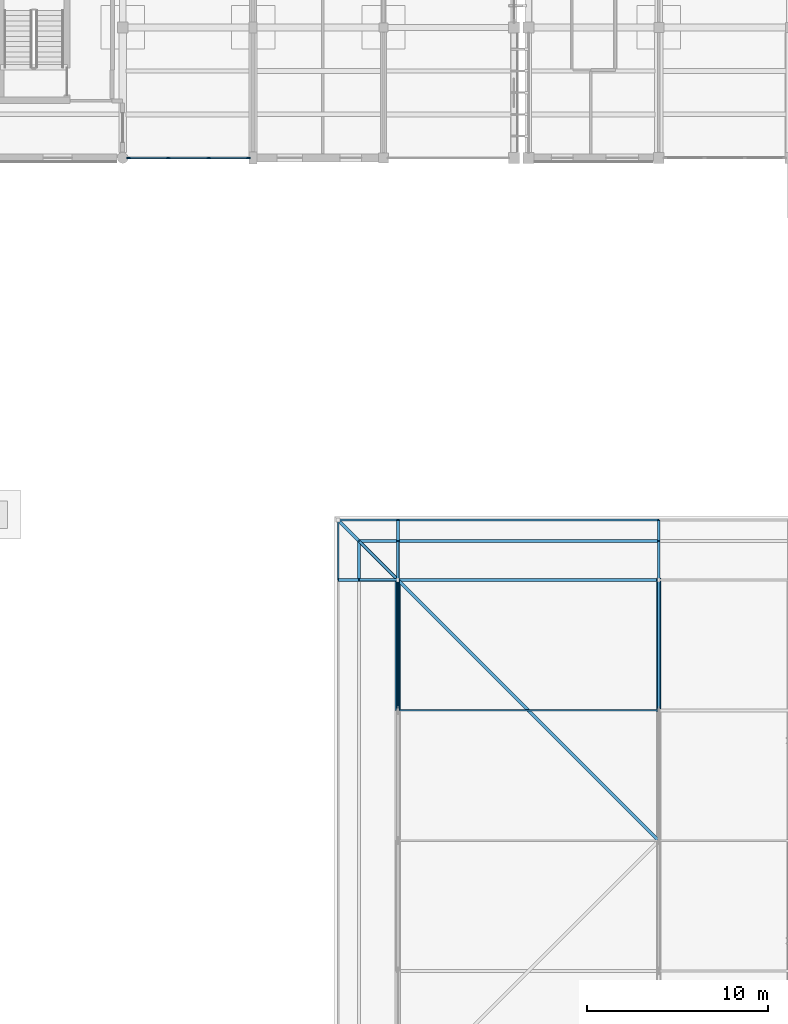
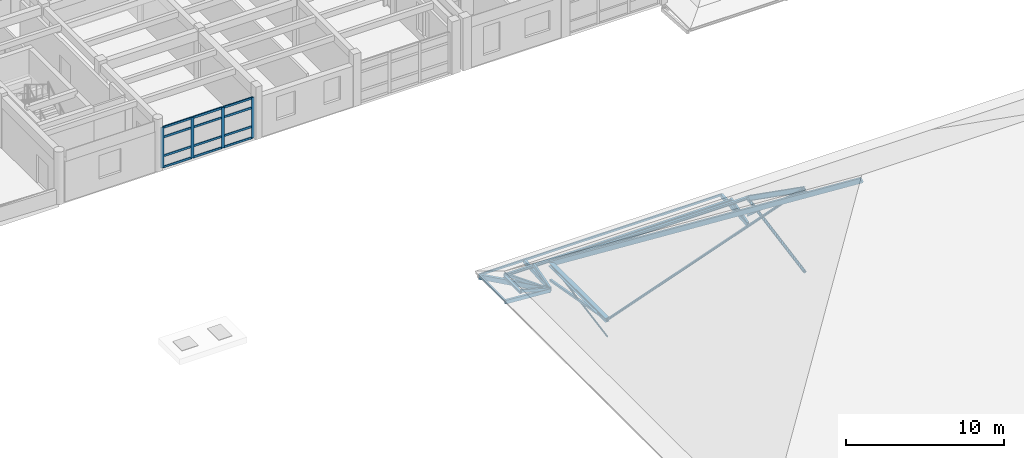
# One storey, part 5 of 100: 39 members, 1 element without a shape of its own.
"""IFC4 building model written with IfcOpenShell, lengths in metres."""

from ifc_helpers import new_model, si_unit, direction, frame, origin, origin_2d, place, context, subcontext, project, spatial, rectangle, hollow_rectangle, hollow_circle, i_section, extrude, material, material_profile, profile_set, type_object, element, aggregate, save


model = new_model("IFC4")

# Units and contexts
model_context = context("Model", 3, precision=1e-05, world=origin(), true_north=direction((0.0, 1.0)))
body_context = subcontext(model_context, "Body", "Model", "MODEL_VIEW")
ifc_project = project(units=[si_unit("LENGTHUNIT", "METRE"), si_unit("AREAUNIT", "SQUARE_METRE"), si_unit("VOLUMEUNIT", "CUBIC_METRE"), si_unit("PLANEANGLEUNIT", "RADIAN"), si_unit("MASSUNIT", "GRAM", prefix="KILO")], contexts=[model_context])

# Site, building, storey
site_placement = place(None, origin())
site = spatial("IfcSite", under=ifc_project, at=site_placement, CompositionType="ELEMENT")
building_placement = place(site_placement, origin())
building = spatial("IfcBuilding", under=site, at=building_placement, Name="Steenspoor Specialist Clinic", CompositionType="ELEMENT")
storey_placement = place(building_placement, frame((0.0, 0.0, 9.0)))
storey = spatial("IfcBuildingStorey", under=building, at=storey_placement, Name="L02", CompositionType="ELEMENT", Elevation=9.0)

# Curtain wall, members
ifc_material_1 = material(Name="Thermally broken aluminium and low-emissivity glass", Category="aluminium")
curtain_wall_type = type_object("IfcCurtainWallType", Name="CW-L00-480X415", PredefinedType="USERDEFINED", material=ifc_material_1)
curtain_wall_placement = place(storey_placement, origin())
curtain_wall = element("IfcCurtainWall", 1, at=curtain_wall_placement, inside=storey, type_object=curtain_wall_type, Name="Unitised Curtain Wall CW-V5-L02-150", ObjectType="UNITISED GLAZING", PredefinedType="USERDEFINED")
ifc_material_2 = material(Name="Thermally broken aluminium 6063-T6", Category="aluminium")
ifc_material_profile_1 = material_profile(ifc_material_2, rectangle(XDim=0.080078125, YDim=0.219970703125, at=origin_2d()), Name="CWM-80X220")
ifc_profile_set_1 = profile_set([ifc_material_profile_1], Name="Thermally broken aluminium 6063-T6")
member_type_1 = type_object("IfcMemberType", Name="CW-MULL-80X220", PredefinedType="MULLION", material=ifc_profile_set_1)
member_1_placement = place(storey_placement, frame((36.93505859375, 65.14990234375, 0.0), z_axis=(0.0, 0.0, 1.0), x_axis=(0.0, -1.0, 0.0)))
member_1 = element("IfcMember", 2, at=member_1_placement, type_object=member_type_1, Name="CW-06 mullion 1", PredefinedType="MULLION", context=body_context, shape_type="SweptSolid", body=[
    extrude(rectangle(XDim=0.080078125, YDim=0.219970703125, at=origin_2d()), origin(), (0.0, 0.0, 1.0), 3.1298828125),
])
member_2_placement = place(storey_placement, frame((34.75, 65.14990234375, 0.0), z_axis=(0.0, 0.0, 1.0), x_axis=(0.0, -1.0, 0.0)))
member_2 = element("IfcMember", 3, at=member_2_placement, type_object=member_type_1, Name="CW-06 mullion 2", PredefinedType="MULLION", context=body_context, shape_type="SweptSolid", body=[
    extrude(rectangle(XDim=0.080078125, YDim=0.219970703125, at=origin_2d()), origin(), (0.0, 0.0, 1.0), 3.1298828125),
])
member_3_placement = place(storey_placement, frame((32.52490234375, 65.14990234375, 0.0), z_axis=(0.0, 0.0, 1.0), x_axis=(0.0, -1.0, 0.0)))
member_3 = element("IfcMember", 4, at=member_3_placement, type_object=member_type_1, Name="CW-06 mullion 3", PredefinedType="MULLION", context=body_context, shape_type="SweptSolid", body=[
    extrude(rectangle(XDim=0.080078125, YDim=0.219970703125, at=origin_2d()), origin(), (0.0, 0.0, 1.0), 3.1298828125),
])
member_4_placement = place(storey_placement, frame((30.340087890625, 65.14990234375, 0.0), z_axis=(0.0, 0.0, 1.0), x_axis=(0.0, -1.0, 0.0)))
member_4 = element("IfcMember", 5, at=member_4_placement, type_object=member_type_1, Name="CW-06 mullion 4", PredefinedType="MULLION", context=body_context, shape_type="SweptSolid", body=[
    extrude(rectangle(XDim=0.080078125, YDim=0.219970703125, at=origin_2d()), origin(), (0.0, 0.0, 1.0), 3.1298828125),
])
ifc_material_profile_2 = material_profile(ifc_material_2, rectangle(XDim=0.080078125, YDim=0.159912109375, at=origin_2d()), Name="CWT-80X160")
ifc_profile_set_2 = profile_set([ifc_material_profile_2], Name="Thermally broken aluminium 6063-T6")
member_type_2 = type_object("IfcMemberType", Name="CW-TRAN-80X160", PredefinedType="USERDEFINED", material=ifc_profile_set_2)
member_5_placement = place(storey_placement, frame((36.89501953125, 65.14990234375, 0.0400390625), z_axis=(-1.0, 0.0, 0.0), x_axis=(0.0, -1.0, 0.0)))
member_5 = element("IfcMember", 6, at=member_5_placement, type_object=member_type_2, Name="CW-06 transom 1.1", ObjectType="TRANSOM", PredefinedType="USERDEFINED", context=body_context, shape_type="SweptSolid", body=[
    extrude(rectangle(XDim=0.080078125, YDim=0.159912109375, at=origin_2d()), origin(), (0.0, 0.0, 1.0), 2.10498046875),
])
member_6_placement = place(storey_placement, frame((36.89501953125, 65.14990234375, 0.89990234375), z_axis=(-1.0, 0.0, 0.0), x_axis=(0.0, -1.0, 0.0)))
member_6 = element("IfcMember", 7, at=member_6_placement, type_object=member_type_2, Name="CW-06 transom 1.2", ObjectType="TRANSOM", PredefinedType="USERDEFINED", context=body_context, shape_type="SweptSolid", body=[
    extrude(rectangle(XDim=0.080078125, YDim=0.159912109375, at=origin_2d()), origin(), (0.0, 0.0, 1.0), 2.10498046875),
])
member_7_placement = place(storey_placement, frame((36.89501953125, 65.14990234375, 2.35009765625), z_axis=(-1.0, 0.0, 0.0), x_axis=(0.0, -1.0, 0.0)))
member_7 = element("IfcMember", 8, at=member_7_placement, type_object=member_type_2, Name="CW-06 transom 1.3", ObjectType="TRANSOM", PredefinedType="USERDEFINED", context=body_context, shape_type="SweptSolid", body=[
    extrude(rectangle(XDim=0.080078125, YDim=0.159912109375, at=origin_2d()), origin(), (0.0, 0.0, 1.0), 2.10498046875),
])
member_8_placement = place(storey_placement, frame((36.89501953125, 65.14990234375, 3.090087890625), z_axis=(-1.0, 0.0, 0.0), x_axis=(0.0, -1.0, 0.0)))
member_8 = element("IfcMember", 9, at=member_8_placement, type_object=member_type_2, Name="CW-06 transom 1.4", ObjectType="TRANSOM", PredefinedType="USERDEFINED", context=body_context, shape_type="SweptSolid", body=[
    extrude(rectangle(XDim=0.080078125, YDim=0.159912109375, at=origin_2d()), origin(), (0.0, 0.0, 1.0), 2.10498046875),
])
member_9_placement = place(storey_placement, frame((34.7099609375, 65.14990234375, 0.0400390625), z_axis=(-1.0, 0.0, 0.0), x_axis=(0.0, -1.0, 0.0)))
member_9 = element("IfcMember", 10, at=member_9_placement, type_object=member_type_2, Name="CW-06 transom 2.1", ObjectType="TRANSOM", PredefinedType="USERDEFINED", context=body_context, shape_type="SweptSolid", body=[
    extrude(rectangle(XDim=0.080078125, YDim=0.159912109375, at=origin_2d()), origin(), (0.0, 0.0, 1.0), 2.14501953125),
])
member_10_placement = place(storey_placement, frame((34.7099609375, 65.14990234375, 0.89990234375), z_axis=(-1.0, 0.0, 0.0), x_axis=(0.0, -1.0, 0.0)))
member_10 = element("IfcMember", 11, at=member_10_placement, type_object=member_type_2, Name="CW-06 transom 2.2", ObjectType="TRANSOM", PredefinedType="USERDEFINED", context=body_context, shape_type="SweptSolid", body=[
    extrude(rectangle(XDim=0.080078125, YDim=0.159912109375, at=origin_2d()), origin(), (0.0, 0.0, 1.0), 2.14501953125),
])
member_11_placement = place(storey_placement, frame((34.7099609375, 65.14990234375, 2.35009765625), z_axis=(-1.0, 0.0, 0.0), x_axis=(0.0, -1.0, 0.0)))
member_11 = element("IfcMember", 12, at=member_11_placement, type_object=member_type_2, Name="CW-06 transom 2.3", ObjectType="TRANSOM", PredefinedType="USERDEFINED", context=body_context, shape_type="SweptSolid", body=[
    extrude(rectangle(XDim=0.080078125, YDim=0.159912109375, at=origin_2d()), origin(), (0.0, 0.0, 1.0), 2.14501953125),
])
member_12_placement = place(storey_placement, frame((34.7099609375, 65.14990234375, 3.090087890625), z_axis=(-1.0, 0.0, 0.0), x_axis=(0.0, -1.0, 0.0)))
member_12 = element("IfcMember", 13, at=member_12_placement, type_object=member_type_2, Name="CW-06 transom 2.4", ObjectType="TRANSOM", PredefinedType="USERDEFINED", context=body_context, shape_type="SweptSolid", body=[
    extrude(rectangle(XDim=0.080078125, YDim=0.159912109375, at=origin_2d()), origin(), (0.0, 0.0, 1.0), 2.14501953125),
])
member_13_placement = place(storey_placement, frame((32.485107421875, 65.14990234375, 0.0400390625), z_axis=(-1.0, 0.0, 0.0), x_axis=(0.0, -1.0, 0.0)))
member_13 = element("IfcMember", 14, at=member_13_placement, type_object=member_type_2, Name="CW-06 transom 3.1", ObjectType="TRANSOM", PredefinedType="USERDEFINED", context=body_context, shape_type="SweptSolid", body=[
    extrude(rectangle(XDim=0.080078125, YDim=0.159912109375, at=origin_2d()), origin(), (0.0, 0.0, 1.0), 2.105224609375),
])
member_14_placement = place(storey_placement, frame((32.485107421875, 65.14990234375, 0.89990234375), z_axis=(-1.0, 0.0, 0.0), x_axis=(0.0, -1.0, 0.0)))
member_14 = element("IfcMember", 15, at=member_14_placement, type_object=member_type_2, Name="CW-06 transom 3.2", ObjectType="TRANSOM", PredefinedType="USERDEFINED", context=body_context, shape_type="SweptSolid", body=[
    extrude(rectangle(XDim=0.080078125, YDim=0.159912109375, at=origin_2d()), origin(), (0.0, 0.0, 1.0), 2.105224609375),
])
member_15_placement = place(storey_placement, frame((32.485107421875, 65.14990234375, 2.35009765625), z_axis=(-1.0, 0.0, 0.0), x_axis=(0.0, -1.0, 0.0)))
member_15 = element("IfcMember", 16, at=member_15_placement, type_object=member_type_2, Name="CW-06 transom 3.3", ObjectType="TRANSOM", PredefinedType="USERDEFINED", context=body_context, shape_type="SweptSolid", body=[
    extrude(rectangle(XDim=0.080078125, YDim=0.159912109375, at=origin_2d()), origin(), (0.0, 0.0, 1.0), 2.105224609375),
])
member_16_placement = place(storey_placement, frame((32.485107421875, 65.14990234375, 3.090087890625), z_axis=(-1.0, 0.0, 0.0), x_axis=(0.0, -1.0, 0.0)))
member_16 = element("IfcMember", 17, at=member_16_placement, type_object=member_type_2, Name="CW-06 transom 3.4", ObjectType="TRANSOM", PredefinedType="USERDEFINED", context=body_context, shape_type="SweptSolid", body=[
    extrude(rectangle(XDim=0.080078125, YDim=0.159912109375, at=origin_2d()), origin(), (0.0, 0.0, 1.0), 2.105224609375),
])
aggregate(curtain_wall, [member_1, member_2, member_3, member_4, member_5, member_6, member_7, member_8, member_9, member_10, member_11, member_12, member_13, member_14, member_15, member_16])

# Members
ifc_material_3 = material(Name="Steel A500 Grade C", Category="steel")
ifc_material_profile_3 = material_profile(ifc_material_3, hollow_rectangle(XDim=0.126953125, YDim=0.126953125, WallThickness=0.0087890625, at=origin_2d()), Name="HSS127X127X9.5")
ifc_profile_set_3 = profile_set([ifc_material_profile_3], Name="Steel A500 Grade C")
member_type_3 = type_object("IfcMemberType", Name="MEM-BRACE-H127A", PredefinedType="BRACE", material=ifc_profile_set_3)
member_17_placement = place(storey_placement, frame((59.60009765625, 34.64990234375, 6.589111328125), z_axis=(0.0, 0.748052703812, -0.66363932397), x_axis=(-1.0, 0.0, 0.0)))
element("IfcMember", 18, at=member_17_placement, inside=storey, type_object=member_type_3, Name="ROOF TRUSS Web Brace V1 3.4", PredefinedType="BRACE", context=body_context, shape_type="SweptSolid", body=[
    extrude(hollow_rectangle(XDim=0.126953125, YDim=0.126953125, WallThickness=0.0087890625, at=origin_2d()), origin(), (0.0, 0.0, 1.0), 9.625244140625),
])
ifc_material_profile_4 = material_profile(ifc_material_3, hollow_rectangle(XDim=0.15234375, YDim=0.15234375, WallThickness=0.0087890625, at=origin_2d()), Name="HSS152X152X9.5")
ifc_profile_set_4 = profile_set([ifc_material_profile_4], Name="Steel A500 Grade C")
member_type_4 = type_object("IfcMemberType", Name="MEM-BRACE-H152", PredefinedType="BRACE", material=ifc_profile_set_4)
member_18_placement = place(storey_placement, frame((45.199951171875, 34.64990234375, 1.537353515625), z_axis=(0.0, 0.984424274532, -0.175809122947), x_axis=(-1.0, 0.0, 0.0)))
element("IfcMember", 19, at=member_18_placement, inside=storey, type_object=member_type_4, Name="ROOF TRUSS Web Brace V1 1.4", PredefinedType="BRACE", context=body_context, shape_type="SweptSolid", body=[
    extrude(hollow_rectangle(XDim=0.15234375, YDim=0.15234375, WallThickness=0.0087890625, at=origin_2d()), origin(), (0.0, 0.0, 1.0), 7.314208984375),
])
ifc_material_4 = material(Name="Steel A992 Grade 50", Category="steel")
ifc_material_profile_5 = material_profile(ifc_material_4, i_section(OverallWidth=0.304931640625, OverallDepth=0.30810546875, WebThickness=0.010009765625, FlangeThickness=0.015380859375, at=origin_2d()), Name="W310X97")
ifc_profile_set_5 = profile_set([ifc_material_profile_5], Name="Steel A992 Grade 50")
member_type_5 = type_object("IfcMemberType", Name="MEM-CHORD-W310", PredefinedType="CHORD", material=ifc_profile_set_5)
member_19_placement = place(storey_placement, frame((45.199951171875, 34.64990234375, 1.537353515625), z_axis=(0.0, 1.0, 0.0), x_axis=(-1.0, 0.0, 0.0)))
element("IfcMember", 20, at=member_19_placement, inside=storey, type_object=member_type_5, Name="ROOF TRUSS Top Chord V1 1.4", PredefinedType="CHORD", context=body_context, shape_type="SweptSolid", body=[
    extrude(i_section(OverallWidth=0.304931640625, OverallDepth=0.30810546875, WebThickness=0.010009765625, FlangeThickness=0.015380859375, at=origin_2d()), origin(), (0.0, 0.0, 1.0), 7.2001953125),
])
ifc_material_profile_6 = material_profile(ifc_material_4, i_section(OverallWidth=0.257080078125, OverallDepth=0.363037109375, WebThickness=0.012939453125, FlangeThickness=0.021728515625, at=origin_2d()), Name="W360X122")
ifc_profile_set_6 = profile_set([ifc_material_profile_6], Name="Steel A992 Grade 50")
member_type_6 = type_object("IfcMemberType", Name="MEM-CHORD-W360", PredefinedType="CHORD", material=ifc_profile_set_6)
member_20_placement = place(storey_placement, frame((59.60009765625, 34.64990234375, 6.589111328125), z_axis=(0.0, 0.817410059977, -0.576056241915), x_axis=(-1.0, 0.0, 0.0)))
element("IfcMember", 21, at=member_20_placement, inside=storey, type_object=member_type_6, Name="ROOF TRUSS Top Chord V1 3.4", PredefinedType="CHORD", context=body_context, shape_type="SweptSolid", body=[
    extrude(i_section(OverallWidth=0.257080078125, OverallDepth=0.363037109375, WebThickness=0.012939453125, FlangeThickness=0.021728515625, at=origin_2d()), origin(), (0.0, 0.0, 1.0), 8.80859375),
])
ifc_material_profile_7 = material_profile(ifc_material_3, hollow_rectangle(XDim=0.1015625, YDim=0.15234375, WallThickness=0.005859375, at=origin_2d()), Name="HSS152X102X6.4")
ifc_profile_set_7 = profile_set([ifc_material_profile_7], Name="Steel A500 Grade C")
member_type_7 = type_object("IfcMemberType", Name="MEM-PURLIN-H152", PredefinedType="PURLIN", material=ifc_profile_set_7)
member_21_placement = place(storey_placement, frame((41.89990234375, 45.14990234375, -0.19482421875), z_axis=(1.0, 0.0, 0.0), x_axis=(0.0, 1.0, 0.0)))
element("IfcMember", 22, at=member_21_placement, inside=storey, type_object=member_type_7, Name="ROOF TRUSS Eave Fascia 10", PredefinedType="PURLIN", context=body_context, shape_type="SweptSolid", body=[
    extrude(hollow_rectangle(XDim=0.1015625, YDim=0.15234375, WallThickness=0.005859375, at=origin_2d()), origin(), (0.0, 0.0, 1.0), 3.300048828125),
])
member_22_placement = place(storey_placement, frame((45.199951171875, 45.14990234375, -0.19482421875), z_axis=(1.0, 0.0, 0.0), x_axis=(0.0, 1.0, 0.0)))
element("IfcMember", 23, at=member_22_placement, inside=storey, type_object=member_type_7, Name="ROOF TRUSS Eave Fascia 11", PredefinedType="PURLIN", context=body_context, shape_type="SweptSolid", body=[
    extrude(hollow_rectangle(XDim=0.1015625, YDim=0.15234375, WallThickness=0.005859375, at=origin_2d()), origin(), (0.0, 0.0, 1.0), 14.400146484375),
])
member_23_placement = place(storey_placement, frame((41.89990234375, 41.85009765625, -0.19482421875), z_axis=(0.0, 1.0, 0.0), x_axis=(-1.0, 0.0, 0.0)))
element("IfcMember", 24, at=member_23_placement, inside=storey, type_object=member_type_7, Name="ROOF TRUSS Eave Fascia 21", PredefinedType="PURLIN", context=body_context, shape_type="SweptSolid", body=[
    extrude(hollow_rectangle(XDim=0.1015625, YDim=0.15234375, WallThickness=0.005859375, at=origin_2d()), origin(), (0.0, 0.0, 1.0), 3.2998046875),
])
ifc_material_profile_8 = material_profile(ifc_material_4, i_section(OverallWidth=0.10205078125, OverallDepth=0.159912109375, WebThickness=0.006591796875, FlangeThickness=0.01025390625, at=origin_2d()), Name="W150X24")
ifc_profile_set_8 = profile_set([ifc_material_profile_8], Name="Steel A992 Grade 50")
member_type_8 = type_object("IfcMemberType", Name="MEM-PURLIN-W150", PredefinedType="PURLIN", material=ifc_profile_set_8)
member_24_placement = place(storey_placement, frame((45.199951171875, 34.64990234375, 1.583251953125), z_axis=(0.943158480686, 0.0, 0.332343316932), x_axis=(0.0, 1.0, 0.0)))
element("IfcMember", 25, at=member_24_placement, inside=storey, type_object=member_type_8, Name="ROOF TRUSS Purlin 46", PredefinedType="PURLIN", context=body_context, shape_type="SweptSolid", body=[
    extrude(i_section(OverallWidth=0.10205078125, OverallDepth=0.159912109375, WebThickness=0.006591796875, FlangeThickness=0.01025390625, at=origin_2d()), origin(), (0.0, 0.0, 1.0), 15.26806640625),
])
ifc_material_profile_9 = material_profile(ifc_material_4, i_section(OverallWidth=0.1650390625, OverallDepth=0.200927734375, WebThickness=0.006103515625, FlangeThickness=0.01025390625, at=origin_2d()), Name="W200X36")
ifc_profile_set_9 = profile_set([ifc_material_profile_9], Name="Steel A992 Grade 50")
member_type_9 = type_object("IfcMemberType", Name="MEM-PURLIN-W200", PredefinedType="PURLIN", material=ifc_profile_set_9)
member_25_placement = place(storey_placement, frame((43.050048828125, 44.0, 0.049560546875), z_axis=(1.0, 0.0, 0.0), x_axis=(0.0, 1.0, 0.0)))
element("IfcMember", 26, at=member_25_placement, inside=storey, type_object=member_type_9, Name="ROOF TRUSS Knuckle Purlin 23", PredefinedType="PURLIN", context=body_context, shape_type="SweptSolid", body=[
    extrude(i_section(OverallWidth=0.1650390625, OverallDepth=0.200927734375, WebThickness=0.006103515625, FlangeThickness=0.01025390625, at=origin_2d()), origin(), (0.0, 0.0, 1.0), 2.14990234375),
])
member_26_placement = place(storey_placement, frame((45.199951171875, 44.0, 0.049560546875), z_axis=(1.0, 0.0, 0.0), x_axis=(0.0, 1.0, 0.0)))
element("IfcMember", 27, at=member_26_placement, inside=storey, type_object=member_type_9, Name="ROOF TRUSS Knuckle Purlin 25", PredefinedType="PURLIN", context=body_context, shape_type="SweptSolid", body=[
    extrude(i_section(OverallWidth=0.1650390625, OverallDepth=0.200927734375, WebThickness=0.006103515625, FlangeThickness=0.01025390625, at=origin_2d()), origin(), (0.0, 0.0, 1.0), 14.400146484375),
])
member_27_placement = place(storey_placement, frame((43.050048828125, 41.85009765625, 0.049560546875), z_axis=(0.0, 1.0, 0.0), x_axis=(-1.0, 0.0, 0.0)))
element("IfcMember", 28, at=member_27_placement, inside=storey, type_object=member_type_9, Name="ROOF TRUSS Knuckle Purlin 42", PredefinedType="PURLIN", context=body_context, shape_type="SweptSolid", body=[
    extrude(i_section(OverallWidth=0.1650390625, OverallDepth=0.200927734375, WebThickness=0.006103515625, FlangeThickness=0.01025390625, at=origin_2d()), origin(), (0.0, 0.0, 1.0), 2.14990234375),
])
member_28_placement = place(storey_placement, frame((45.199951171875, 41.85009765625, 1.562744140625), z_axis=(1.0, 0.0, 0.0), x_axis=(0.0, 1.0, 0.0)))
element("IfcMember", 29, at=member_28_placement, inside=storey, type_object=member_type_9, Name="ROOF TRUSS Purlin 47", PredefinedType="PURLIN", context=body_context, shape_type="SweptSolid", body=[
    extrude(i_section(OverallWidth=0.1650390625, OverallDepth=0.200927734375, WebThickness=0.006103515625, FlangeThickness=0.01025390625, at=origin_2d()), origin(), (0.0, 0.0, 1.0), 14.400146484375),
])
ifc_material_5 = material(Name="Glulam GL28h", Category="wood")
ifc_material_profile_10 = material_profile(ifc_material_5, rectangle(XDim=0.139892578125, YDim=0.219970703125, at=origin_2d()), Name="GL28H-140X220")
ifc_profile_set_10 = profile_set([ifc_material_profile_10], Name="Glulam GL28h")
member_type_10 = type_object("IfcMemberType", Name="MEM-RAFTER-GL220", PredefinedType="RAFTER", material=ifc_profile_set_10)
for number, where, z_axis, x_axis, name in (
    (30, (45.199951171875, 41.85009765625, -0.42333984375), (0.0, 0.963210130486, 0.268749408426), (-1.0, 0.0, 0.0), "ROOF TRUSS Knuckle Rafter V1 4"),
    (31, (59.60009765625, 41.85009765625, -0.42333984375), (0.0, 0.963210130486, 0.268749408426), (-1.0, 0.0, 0.0), "ROOF TRUSS Knuckle Rafter V1 8"),
    (32, (45.199951171875, 41.85009765625, -0.42333984375), (-0.963210130486, 0.0, 0.268749408426), (0.0, -1.0, 0.0), "ROOF TRUSS Knuckle Rafter V1 40"),
):
    element("IfcMember", number, at=place(storey_placement, frame(where, z_axis=z_axis, x_axis=x_axis)), inside=storey, type_object=member_type_10, Name=name, PredefinedType="RAFTER", context=body_context, shape_type="SweptSolid", body=[
        extrude(rectangle(XDim=0.139892578125, YDim=0.219970703125, at=origin_2d()), origin(), (0.0, 0.0, 1.0), 2.23193359375),
    ])
member_29_placement = place(storey_placement, frame((45.199951171875, 41.85009765625, -0.5), z_axis=(-0.690226902148, 0.690226902148, 0.217194951834), x_axis=(-0.707106781187, -0.707106781187, 0.0)))
element("IfcMember", 33, at=member_29_placement, inside=storey, type_object=member_type_10, Name="ROOF TRUSS Corner Knuckle Rafter V1 44", PredefinedType="RAFTER", context=body_context, shape_type="SweptSolid", body=[
    extrude(rectangle(XDim=0.139892578125, YDim=0.219970703125, at=origin_2d()), origin(), (0.0, 0.0, 1.0), 3.11474609375),
])
ifc_material_profile_11 = material_profile(ifc_material_5, rectangle(XDim=0.159912109375, YDim=0.280029296875, at=origin_2d()), Name="GL28H-160X280")
ifc_profile_set_11 = profile_set([ifc_material_profile_11], Name="Glulam GL28h")
member_type_11 = type_object("IfcMemberType", Name="MEM-RAFTER-GL280", PredefinedType="RAFTER", material=ifc_profile_set_11)
for number, where, z_axis, x_axis, name in (
    (34, (45.199951171875, 41.85009765625, -0.5), (0.0, 0.997518288162, 0.070407846027), (-1.0, 0.0, 0.0), "ROOF TRUSS Flared Eave Glulam Outrigger V1 3"),
    (35, (59.60009765625, 41.85009765625, -0.5), (0.0, 0.997518288162, 0.070407846027), (-1.0, 0.0, 0.0), "ROOF TRUSS Flared Eave Glulam Outrigger V1 7"),
):
    element("IfcMember", number, at=place(storey_placement, frame(where, z_axis=z_axis, x_axis=x_axis)), inside=storey, type_object=member_type_11, Name=name, PredefinedType="RAFTER", context=body_context, shape_type="SweptSolid", body=[
        extrude(rectangle(XDim=0.159912109375, YDim=0.280029296875, at=origin_2d()), origin(), (0.0, 0.0, 1.0), 3.30810546875),
    ])
member_30_placement = place(storey_placement, frame((45.199951171875, 41.85009765625, -0.5), z_axis=(-0.997518653982, 0.0, 0.070402663009), x_axis=(0.0, -1.0, 0.0)))
element("IfcMember", 36, at=member_30_placement, inside=storey, type_object=member_type_11, Name="ROOF TRUSS Flared Eave Glulam Outrigger V1 39", PredefinedType="RAFTER", context=body_context, shape_type="SweptSolid", body=[
    extrude(rectangle(XDim=0.159912109375, YDim=0.280029296875, at=origin_2d()), origin(), (0.0, 0.0, 1.0), 3.308349609375),
])
ifc_material_profile_12 = material_profile(ifc_material_5, rectangle(XDim=0.179931640625, YDim=0.360107421875, at=origin_2d()), Name="GL28H-180X360")
ifc_profile_set_12 = profile_set([ifc_material_profile_12], Name="Glulam GL28h")
member_type_12 = type_object("IfcMemberType", Name="MEM-RAFTER-GL360", PredefinedType="RAFTER", material=ifc_profile_set_12)
member_31_placement = place(storey_placement, frame((45.199951171875, 41.85009765625, -0.5), z_axis=(-0.706535892449, 0.706483622278, 0.041084353885), x_axis=(-0.707080623533, -0.707132937873, 0.0)))
element("IfcMember", 37, at=member_31_placement, inside=storey, type_object=member_type_12, Name="ROOF TRUSS Corner Hip Outrigger V1 43", PredefinedType="RAFTER", context=body_context, shape_type="SweptSolid", body=[
    extrude(rectangle(XDim=0.179931640625, YDim=0.360107421875, at=origin_2d()), origin(), (0.0, 0.0, 1.0), 4.670654296875),
])
member_32_placement = place(storey_placement, frame((45.199951171875, 41.85009765625, 1.537353515625), z_axis=(0.633159206645, -0.633159206645, 0.445217742326), x_axis=(0.707106781187, 0.707106781187, 0.0)))
element("IfcMember", 38, at=member_32_placement, inside=storey, type_object=member_type_12, Name="ROOF TRUSS Hip Rafter V1 83", PredefinedType="RAFTER", context=body_context, shape_type="SweptSolid", body=[
    extrude(rectangle(XDim=0.179931640625, YDim=0.360107421875, at=origin_2d()), origin(), (0.0, 0.0, 1.0), 22.743408203125),
])
ifc_material_profile_13 = material_profile(ifc_material_3, hollow_circle(Radius=0.05712890625, WallThickness=0.006103515625, at=origin_2d()), Name="CHS114X6.0")
ifc_profile_set_13 = profile_set([ifc_material_profile_13], Name="Steel A500 Grade C")
member_type_13 = type_object("IfcMemberType", Name="MEM-STRUT-CHS114", PredefinedType="STRUT", material=ifc_profile_set_13)
member_33_placement = place(storey_placement, frame((45.199951171875, 34.64990234375, 0.25146484375), z_axis=(0.0, 0.984424274532, 0.175809122947), x_axis=(-1.0, 0.0, 0.0)))
element("IfcMember", 39, at=member_33_placement, inside=storey, type_object=member_type_13, Name="ROOF TRUSS Web Strut V1 1.4", PredefinedType="STRUT", context=body_context, shape_type="SweptSolid", body=[
    extrude(hollow_circle(Radius=0.05712890625, WallThickness=0.006103515625, at=origin_2d()), origin(), (0.0, 0.0, 1.0), 7.314208984375),
])
ifc_material_profile_14 = material_profile(ifc_material_3, hollow_circle(Radius=0.109619140625, WallThickness=0.00830078125, at=origin_2d()), Name="CHS219X8.2")
ifc_profile_set_14 = profile_set([ifc_material_profile_14], Name="Steel A500 Grade C")
member_type_14 = type_object("IfcMemberType", Name="MEM-STRUT-CHS219", PredefinedType="STRUT", material=ifc_profile_set_14)
member_34_placement = place(storey_placement, frame((59.60009765625, 34.64990234375, 0.201416015625), z_axis=(0.0, 0.983765134273, 0.179460749437), x_axis=(-1.0, 0.0, 0.0)))
element("IfcMember", 40, at=member_34_placement, inside=storey, type_object=member_type_14, Name="ROOF TRUSS Web Strut V1 3.4", PredefinedType="STRUT", context=body_context, shape_type="SweptSolid", body=[
    extrude(hollow_circle(Radius=0.109619140625, WallThickness=0.00830078125, at=origin_2d()), origin(), (0.0, 0.0, 1.0), 7.319091796875),
])

save(model, "model.ifc")
